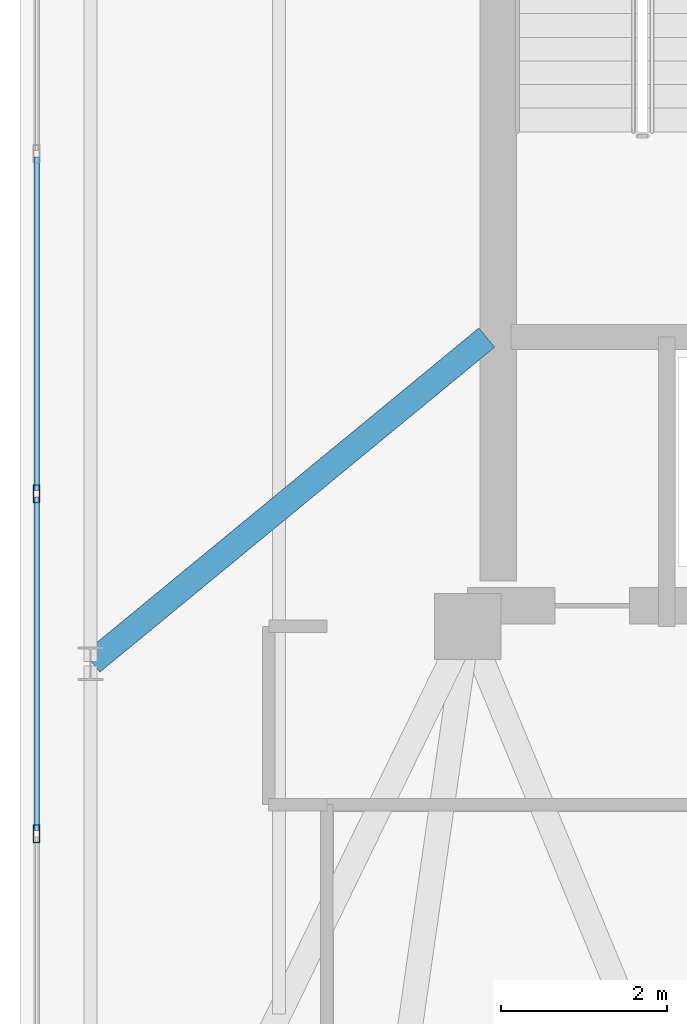
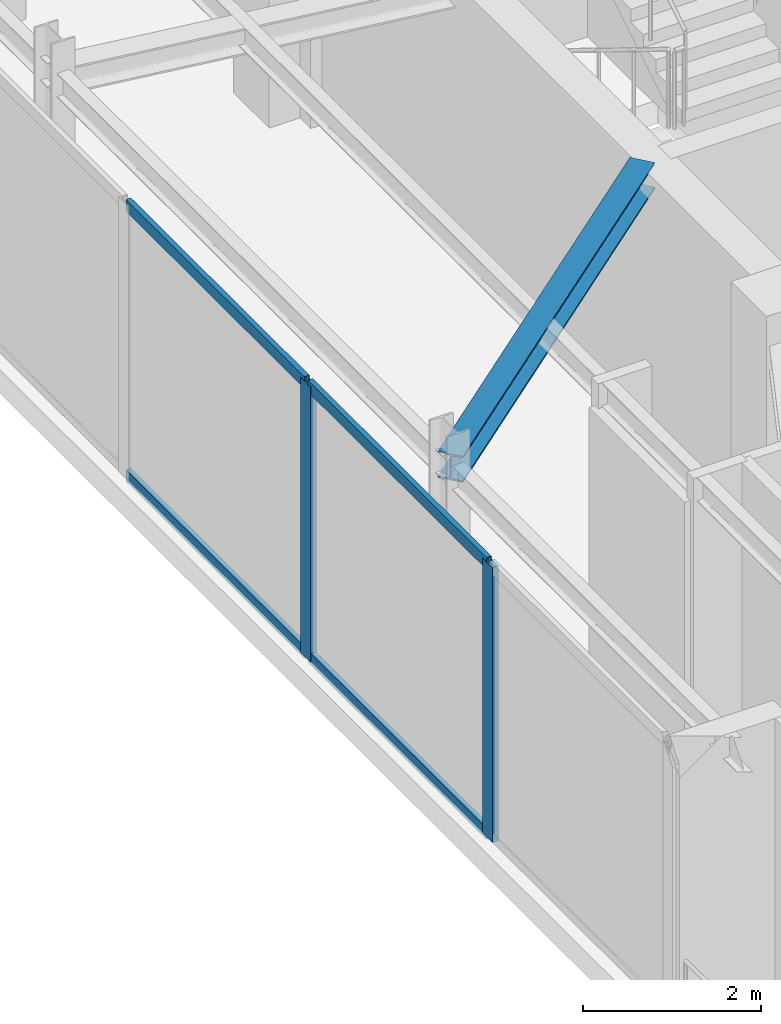
# One storey, part 6 of 24: 6 members, 1 beam, 1 element without a shape of its own.
"""IFC4 building model written with IfcOpenShell, lengths in metres."""

from ifc_helpers import new_model, si_unit, direction, frame, origin, origin_2d, place, context, subcontext, project, spatial, hollow_rectangle, i_section, extrude, material, layer, layer_set, material_profile, profile_set, type_object, element, aggregate, save


model = new_model("IFC4")

# Units and contexts
model_context = context("Model", 3, precision=1e-05, world=origin(), true_north=direction((0.0, 1.0)))
body_context = subcontext(model_context, "Body", "Model", "MODEL_VIEW")
ifc_project = project(units=[si_unit("LENGTHUNIT", "METRE"), si_unit("AREAUNIT", "SQUARE_METRE"), si_unit("VOLUMEUNIT", "CUBIC_METRE"), si_unit("PLANEANGLEUNIT", "RADIAN"), si_unit("MASSUNIT", "GRAM", prefix="KILO")], contexts=[model_context])

# Site, building, storey
site_placement = place(None, origin())
site = spatial("IfcSite", under=ifc_project, at=site_placement, CompositionType="ELEMENT")
building_placement = place(site_placement, origin())
building = spatial("IfcBuilding", under=site, at=building_placement, Name="Qobustan Lattice House", CompositionType="ELEMENT")
storey_placement = place(building_placement, frame((0.0, 0.0, 261.800048828125)))
storey = spatial("IfcBuildingStorey", under=building, at=storey_placement, Name="L74", CompositionType="ELEMENT", Elevation=261.800048828125)

# Beam
ifc_material_1 = material(Name="Steel S355", Category="steel")
ifc_material_profile_1 = material_profile(ifc_material_1, i_section(OverallWidth=0.300048828125, OverallDepth=0.360107421875, WebThickness=0.012451171875, FlangeThickness=0.0224609375, FilletRadius=0.027099609375, at=origin_2d()), Name="HEB360")
ifc_profile_set_1 = profile_set([ifc_material_profile_1], Name="Steel S355")
beam_type = type_object("IfcBeamType", Name="BM-FLG-HEB360", PredefinedType="USERDEFINED", material=ifc_profile_set_1)
beam_placement = place(storey_placement, frame((-23.330810546875, -6.0341796875, 3.599853515625), z_axis=(0.772169041192, 0.635417163621, 0.0), x_axis=(-0.635417163621, 0.772169041192, 0.0)))
element("IfcBeam", 1, at=beam_placement, inside=storey, type_object=beam_type, Name="L74 primary floor girder RAD-W3", ObjectType="GIRDER", PredefinedType="USERDEFINED", context=body_context, shape_type="SweptSolid", body=[
    extrude(i_section(OverallWidth=0.300048828125, OverallDepth=0.360107421875, WebThickness=0.012451171875, FlangeThickness=0.0224609375, FilletRadius=0.027099609375, at=origin_2d()), origin(), (0.0, 0.0, 1.0), 6.166259765625),
])

# Curtain wall, members
ifc_material_2 = material(Name="Anodised aluminium and low-E glazing", Category="aluminium")
ifc_layer = layer(ifc_material_2, 0.219970703125)
ifc_layer_set = layer_set([ifc_layer], Name="Anodised aluminium and low-E glazing")
curtain_wall_type = type_object("IfcCurtainWallType", Name="CW-OBS-01", PredefinedType="USERDEFINED", material=ifc_layer_set)
curtain_wall_placement = place(storey_placement, origin())
curtain_wall = element("IfcCurtainWall", 2, at=curtain_wall_placement, inside=storey, type_object=curtain_wall_type, Name="L74 W panoramic observation curtain wall", ObjectType="CURTAIN WALL", PredefinedType="USERDEFINED")
ifc_material_3 = material(Name="Anodised aluminium EN AW-6063 T6", Category="aluminium")
ifc_material_profile_2 = material_profile(ifc_material_3, hollow_rectangle(XDim=0.080078125, YDim=0.219970703125, WallThickness=0.0048828125, at=origin_2d()), Name="CWM-220x80")
ifc_profile_set_2 = profile_set([ifc_material_profile_2], Name="Anodised aluminium EN AW-6063 T6")
member_type_1 = type_object("IfcMemberType", Name="CWM-MAIN-220", PredefinedType="MULLION", material=ifc_profile_set_2)
member_1_placement = place(storey_placement, frame((-24.0, -8.10009765625, 0.0), z_axis=(0.0, 0.0, 1.0), x_axis=(-1.0, 0.0, 0.0)))
member_1 = element("IfcMember", 3, at=member_1_placement, type_object=member_type_1, Name="CW-OB mullion 2", PredefinedType="MULLION", context=body_context, shape_type="SweptSolid", body=[
    extrude(hollow_rectangle(XDim=0.080078125, YDim=0.219970703125, WallThickness=0.0048828125, at=origin_2d()), origin(), (0.0, 0.0, 1.0), 3.780029296875),
])
member_2_placement = place(storey_placement, frame((-24.0, -4.0, 0.0), z_axis=(0.0, 0.0, 1.0), x_axis=(-1.0, 0.0, 0.0)))
member_2 = element("IfcMember", 4, at=member_2_placement, type_object=member_type_1, Name="CW-OB mullion 3", PredefinedType="MULLION", context=body_context, shape_type="SweptSolid", body=[
    extrude(hollow_rectangle(XDim=0.080078125, YDim=0.219970703125, WallThickness=0.0048828125, at=origin_2d()), origin(), (0.0, 0.0, 1.0), 3.780029296875),
])
ifc_material_4 = material(Name="Anodised aluminium EN AW-6063 T6", Category="aluminium")
ifc_material_profile_3 = material_profile(ifc_material_4, hollow_rectangle(XDim=0.06494140625, YDim=0.159912109375, WallThickness=0.00390625, at=origin_2d()), Name="CWT-160x65")
ifc_profile_set_3 = profile_set([ifc_material_profile_3], Name="Anodised aluminium EN AW-6063 T6")
member_type_2 = type_object("IfcMemberType", Name="CWT-HOR-160", PredefinedType="USERDEFINED", material=ifc_profile_set_3)
member_3_placement = place(storey_placement, frame((-24.0, -8.06005859375, 0.032470703125), z_axis=(0.0, 1.0, 0.0), x_axis=(-1.0, 0.0, 0.0)))
member_3 = element("IfcMember", 5, at=member_3_placement, type_object=member_type_2, Name="CW-OB transom 2.1", ObjectType="TRANSOM", PredefinedType="USERDEFINED", context=body_context, shape_type="SweptSolid", body=[
    extrude(hollow_rectangle(XDim=0.06494140625, YDim=0.159912109375, WallThickness=0.00390625, at=origin_2d()), origin(), (0.0, 0.0, 1.0), 4.02001953125),
])
member_4_placement = place(storey_placement, frame((-24.0, -8.06005859375, 3.74755859375), z_axis=(0.0, 1.0, 0.0), x_axis=(-1.0, 0.0, 0.0)))
member_4 = element("IfcMember", 6, at=member_4_placement, type_object=member_type_2, Name="CW-OB transom 2.2", ObjectType="TRANSOM", PredefinedType="USERDEFINED", context=body_context, shape_type="SweptSolid", body=[
    extrude(hollow_rectangle(XDim=0.06494140625, YDim=0.159912109375, WallThickness=0.00390625, at=origin_2d()), origin(), (0.0, 0.0, 1.0), 4.02001953125),
])
member_5_placement = place(storey_placement, frame((-24.0, -3.9599609375, 0.032470703125), z_axis=(0.0, 1.0, 0.0), x_axis=(-1.0, 0.0, 0.0)))
member_5 = element("IfcMember", 7, at=member_5_placement, type_object=member_type_2, Name="CW-OB transom 3.1", ObjectType="TRANSOM", PredefinedType="USERDEFINED", context=body_context, shape_type="SweptSolid", body=[
    extrude(hollow_rectangle(XDim=0.06494140625, YDim=0.159912109375, WallThickness=0.00390625, at=origin_2d()), origin(), (0.0, 0.0, 1.0), 4.02001953125),
])
member_6_placement = place(storey_placement, frame((-24.0, -3.9599609375, 3.74755859375), z_axis=(0.0, 1.0, 0.0), x_axis=(-1.0, 0.0, 0.0)))
member_6 = element("IfcMember", 8, at=member_6_placement, type_object=member_type_2, Name="CW-OB transom 3.2", ObjectType="TRANSOM", PredefinedType="USERDEFINED", context=body_context, shape_type="SweptSolid", body=[
    extrude(hollow_rectangle(XDim=0.06494140625, YDim=0.159912109375, WallThickness=0.00390625, at=origin_2d()), origin(), (0.0, 0.0, 1.0), 4.02001953125),
])
aggregate(curtain_wall, [member_1, member_2, member_3, member_4, member_5, member_6])

save(model, "model.ifc")
